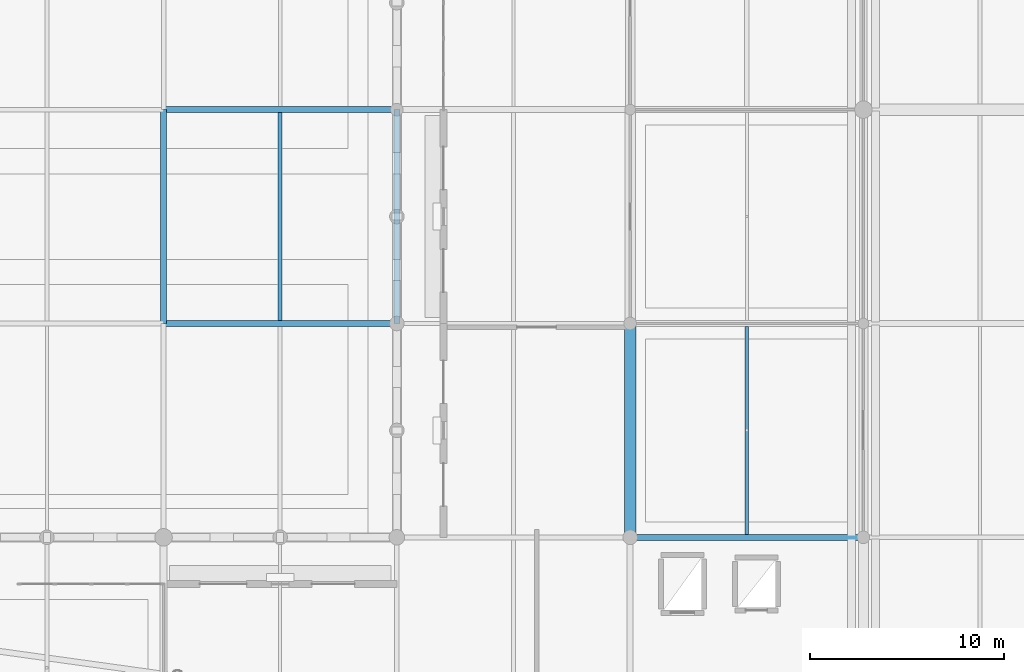
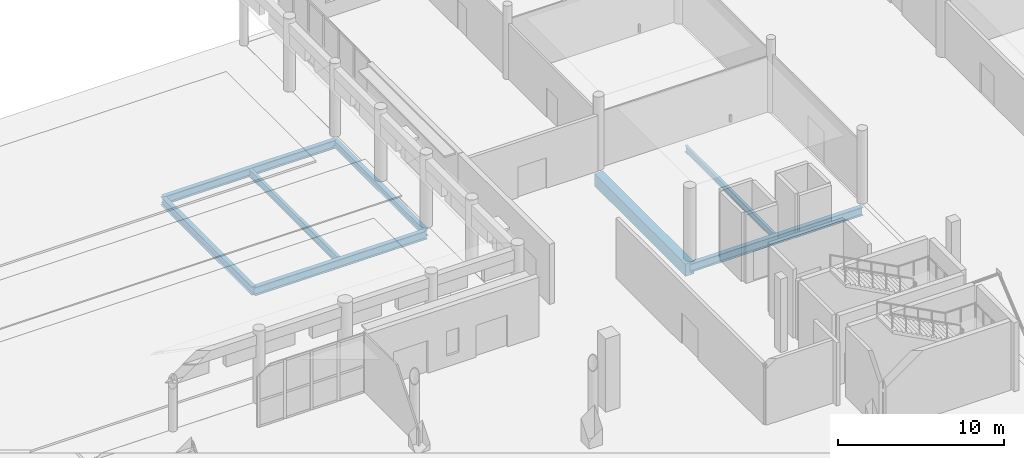
# One storey, part 35 of 120: 8 beams.
"""IFC4 building model written with IfcOpenShell, lengths in metres."""

from ifc_helpers import new_model, si_unit, direction, frame, origin, origin_2d, place, context, subcontext, project, spatial, rectangle, i_section, extrude, material, material_profile, profile_set, type_object, element, save


model = new_model("IFC4")

# Units and contexts
model_context = context("Model", 3, precision=1e-05, world=origin(), true_north=direction((0.0, 1.0)))
body_context = subcontext(model_context, "Body", "Model", "MODEL_VIEW")
ifc_project = project(units=[si_unit("LENGTHUNIT", "METRE"), si_unit("AREAUNIT", "SQUARE_METRE"), si_unit("VOLUMEUNIT", "CUBIC_METRE"), si_unit("PLANEANGLEUNIT", "RADIAN"), si_unit("MASSUNIT", "GRAM", prefix="KILO")], contexts=[model_context])

# Site, building, storey
site_placement = place(None, origin())
site = spatial("IfcSite", under=ifc_project, at=site_placement, CompositionType="ELEMENT")
building_placement = place(site_placement, origin())
building = spatial("IfcBuilding", under=site, at=building_placement, Name="Luwafu Chhajja Arena", CompositionType="ELEMENT")
storey_placement = place(building_placement, origin())
storey = spatial("IfcBuildingStorey", under=building, at=storey_placement, Name="L00", CompositionType="ELEMENT", Elevation=0.0)

# Beams
ifc_material_1 = material(Name="Concrete C35/45", Category="concrete")
ifc_material_profile_1 = material_profile(ifc_material_1, rectangle(XDim=0.60009765625, YDim=0.89990234375, at=origin_2d()), Name="RC 600x900")
ifc_profile_set_1 = profile_set([ifc_material_profile_1], Name="Concrete C35/45")
beam_type_1 = type_object("IfcBeamType", Name="Concourse Primary Girder RC 600x900", PredefinedType="BEAM", material=ifc_profile_set_1)
beam_1_placement = place(storey_placement, frame((152.0, 99.0, -0.800048828125), z_axis=(0.0, 1.0, 0.0), x_axis=(-1.0, 0.0, 0.0)))
element("IfcBeam", 1, at=beam_1_placement, inside=storey, type_object=beam_type_1, Name="L00 Grid Beam 14/K-L", PredefinedType="BEAM", context=body_context, shape_type="SweptSolid", body=[
    extrude(rectangle(XDim=0.60009765625, YDim=0.89990234375, at=origin_2d()), origin(), (0.0, 0.0, 1.0), 11.0),
])
ifc_material_2 = material(Name="Steel S355", Category="steel")
ifc_material_profile_2 = material_profile(ifc_material_2, i_section(OverallWidth=0.19140625, OverallDepth=0.4599609375, WebThickness=0.010009765625, FlangeThickness=0.01611328125, at=origin_2d()), Name="UB 457x191x82")
ifc_profile_set_2 = profile_set([ifc_material_profile_2], Name="Steel S355")
beam_type_2 = type_object("IfcBeamType", Name="Floor Joist UB 457x191x82", PredefinedType="JOIST", material=ifc_profile_set_2)
beam_2_placement = place(storey_placement, frame((158.0, 99.153564453125, -0.580078125), z_axis=(0.0, 1.0, 0.0), x_axis=(-1.0, 0.0, 0.0)))
element("IfcBeam", 2, at=beam_2_placement, inside=storey, type_object=beam_type_2, Name="L00 Secondary Joist 14-15/K", PredefinedType="JOIST", context=body_context, shape_type="SweptSolid", body=[
    extrude(i_section(OverallWidth=0.19140625, OverallDepth=0.4599609375, WebThickness=0.010009765625, FlangeThickness=0.01611328125, at=origin_2d()), origin(), (0.0, 0.0, 1.0), 10.696533203125),
])
ifc_material_profile_3 = material_profile(ifc_material_2, i_section(OverallWidth=0.209228515625, OverallDepth=0.533203125, WebThickness=0.010009765625, FlangeThickness=0.015625, at=origin_2d()), Name="UB 533x210x92")
ifc_profile_set_3 = profile_set([ifc_material_profile_3], Name="Steel S355")
beam_type_3 = type_object("IfcBeamType", Name="Floor Joist UB 533x210x92", PredefinedType="JOIST", material=ifc_profile_set_3)
beam_3_placement = place(storey_placement, frame((134.0, 110.153564453125, -0.616455078125), z_axis=(0.0, 1.0, 0.0), x_axis=(-1.0, 0.0, 0.0)))
element("IfcBeam", 3, at=beam_3_placement, inside=storey, type_object=beam_type_3, Name="L00 Secondary Joist 12-13/L", PredefinedType="JOIST", context=body_context, shape_type="SweptSolid", body=[
    extrude(i_section(OverallWidth=0.209228515625, OverallDepth=0.533203125, WebThickness=0.010009765625, FlangeThickness=0.015625, at=origin_2d()), origin(), (0.0, 0.0, 1.0), 10.696533203125),
])
ifc_material_profile_4 = material_profile(ifc_material_2, i_section(OverallWidth=0.300048828125, OverallDepth=0.5, WebThickness=0.014404296875, FlangeThickness=0.028076171875, at=origin_2d()), Name="HEB 500")
ifc_profile_set_4 = profile_set([ifc_material_profile_4], Name="Steel S355")
beam_type_4 = type_object("IfcBeamType", Name="Steel Atrium Tie Girder HEB 500", PredefinedType="BEAM", material=ifc_profile_set_4)
beam_4_placement = place(storey_placement, frame((140.0, 110.0, -0.60009765625), z_axis=(0.0, 1.0, 0.0), x_axis=(-1.0, 0.0, 0.0)))
element("IfcBeam", 4, at=beam_4_placement, inside=storey, type_object=beam_type_4, Name="L00 Grid Beam 13/L-M", PredefinedType="BEAM", context=body_context, shape_type="SweptSolid", body=[
    extrude(i_section(OverallWidth=0.300048828125, OverallDepth=0.5, WebThickness=0.014404296875, FlangeThickness=0.028076171875, at=origin_2d()), origin(), (0.0, 0.0, 1.0), 11.0),
])
ifc_material_profile_5 = material_profile(ifc_material_2, i_section(OverallWidth=0.300048828125, OverallDepth=0.60009765625, WebThickness=0.015380859375, FlangeThickness=0.030029296875, at=origin_2d()), Name="HEB 600")
ifc_profile_set_5 = profile_set([ifc_material_profile_5], Name="Steel S355")
beam_type_5 = type_object("IfcBeamType", Name="Steel Gallery Girder HEB 600", PredefinedType="BEAM", material=ifc_profile_set_5)
beam_5_placement = place(storey_placement, frame((128.0, 121.0, -0.64990234375), z_axis=(1.0, 0.0, 0.0), x_axis=(0.0, 1.0, 0.0)))
element("IfcBeam", 5, at=beam_5_placement, inside=storey, type_object=beam_type_5, Name="L00 Grid Beam 12-13/M", PredefinedType="BEAM", context=body_context, shape_type="SweptSolid", body=[
    extrude(i_section(OverallWidth=0.300048828125, OverallDepth=0.60009765625, WebThickness=0.015380859375, FlangeThickness=0.030029296875, at=origin_2d()), origin(), (0.0, 0.0, 1.0), 12.0),
])
ifc_material_profile_6 = material_profile(ifc_material_2, i_section(OverallWidth=0.30712890625, OverallDepth=0.6201171875, WebThickness=0.01416015625, FlangeThickness=0.023681640625, at=origin_2d()), Name="UB 610x305x179")
ifc_profile_set_6 = profile_set([ifc_material_profile_6], Name="Steel S355")
beam_type_6 = type_object("IfcBeamType", Name="Steel Hospitality Girder UB 610x305x179", PredefinedType="BEAM", material=ifc_profile_set_6)
for number, where, z_axis, x_axis, name in (
    (6, (128.0, 110.0, -0.66015625), (1.0, 0.0, 0.0), (0.0, 1.0, 0.0), "L00 Grid Beam 12-13/L"),
    (7, (152.0, 99.0, -0.66015625), (1.0, 0.0, 0.0), (0.0, 1.0, 0.0), "L00 Grid Beam 14-15/K"),
):
    element("IfcBeam", number, at=place(storey_placement, frame(where, z_axis=z_axis, x_axis=x_axis)), inside=storey, type_object=beam_type_6, Name=name, PredefinedType="BEAM", context=body_context, shape_type="SweptSolid", body=[
        extrude(i_section(OverallWidth=0.30712890625, OverallDepth=0.6201171875, WebThickness=0.01416015625, FlangeThickness=0.023681640625, at=origin_2d()), origin(), (0.0, 0.0, 1.0), 12.0),
    ])
beam_6_placement = place(storey_placement, frame((128.0, 110.0, -0.66015625), z_axis=(0.0, 1.0, 0.0), x_axis=(-1.0, 0.0, 0.0)))
element("IfcBeam", 8, at=beam_6_placement, inside=storey, type_object=beam_type_6, Name="L00 Grid Beam 12/L-M", PredefinedType="BEAM", context=body_context, shape_type="SweptSolid", body=[
    extrude(i_section(OverallWidth=0.30712890625, OverallDepth=0.6201171875, WebThickness=0.01416015625, FlangeThickness=0.023681640625, at=origin_2d()), origin(), (0.0, 0.0, 1.0), 11.0),
])

save(model, "model.ifc")
